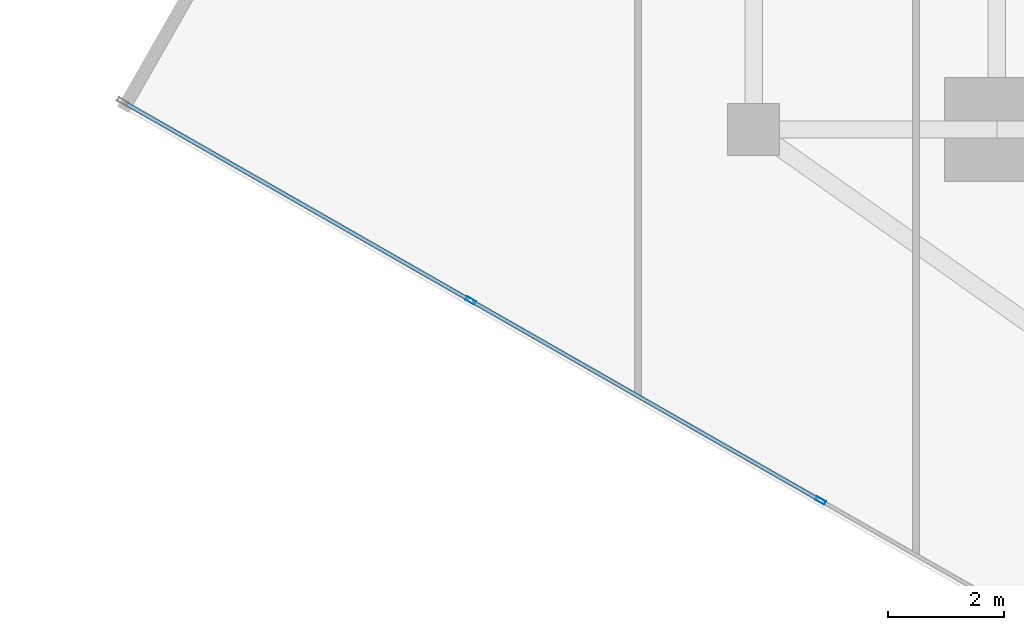
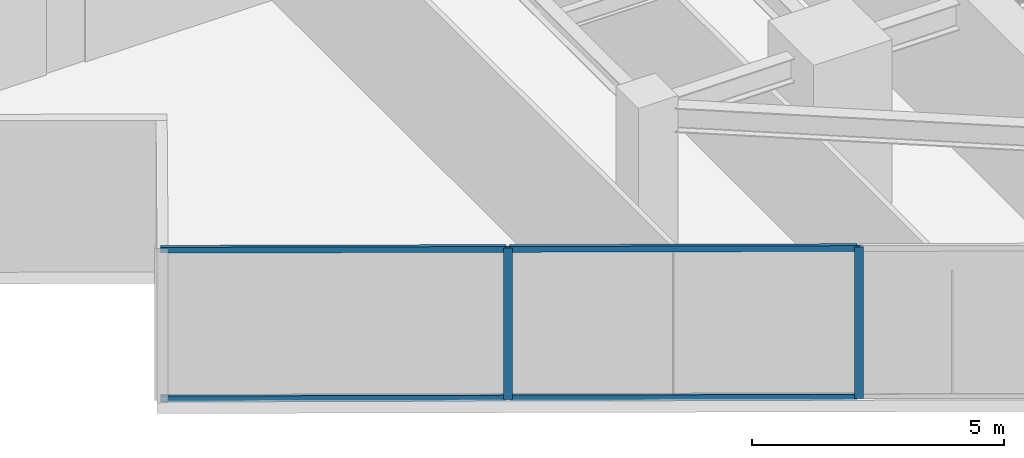
# One storey, part 2 of 24: 6 members, 1 element without a shape of its own.
"""IFC4 building model written with IfcOpenShell, lengths in metres."""

from ifc_helpers import new_model, si_unit, direction, frame, origin, origin_2d, place, context, subcontext, project, spatial, hollow_rectangle, extrude, source, transform, mapped, material, material_profile, profile_set, type_object, type_shapes, element, aggregate, save


model = new_model("IFC4")

# Units and contexts
model_context = context("Model", 3, precision=1e-05, world=origin(), true_north=direction((0.0, 1.0)))
body_context = subcontext(model_context, "Body", "Model", "MODEL_VIEW")
ifc_project = project(units=[si_unit("LENGTHUNIT", "METRE"), si_unit("AREAUNIT", "SQUARE_METRE"), si_unit("VOLUMEUNIT", "CUBIC_METRE"), si_unit("PLANEANGLEUNIT", "RADIAN"), si_unit("MASSUNIT", "GRAM", prefix="KILO")], contexts=[model_context])

# Site, building, storey
site_placement = place(None, origin())
site = spatial("IfcSite", under=ifc_project, at=site_placement, CompositionType="ELEMENT")
building_placement = place(site_placement, origin())
building = spatial("IfcBuilding", under=site, at=building_placement, Name="Krantzveldt Concourse Tower", CompositionType="ELEMENT")
storey_placement = place(building_placement, frame((0.0, 0.0, 169.89990234375)))
storey = spatial("IfcBuildingStorey", under=building, at=storey_placement, Name="L41", CompositionType="ELEMENT", Elevation=169.89990234375)

# Curtain wall, members
ifc_material = material(Name="Anodised aluminium 6063-T6", Category="aluminium")
curtain_wall_type = type_object("IfcCurtainWallType", Name="CW3", PredefinedType="USERDEFINED", material=ifc_material)
curtain_wall_placement = place(storey_placement, origin())
curtain_wall = element("IfcCurtainWall", 1, at=curtain_wall_placement, inside=storey, type_object=curtain_wall_type, Name="CW-L41-F08", ObjectType="UNITISED CURTAIN WALL", PredefinedType="USERDEFINED")
ifc_material_profile_1 = material_profile(ifc_material, hollow_rectangle(XDim=0.070068359375, YDim=0.179931640625, WallThickness=0.0048828125, at=origin_2d()), Name="Anodised aluminium 6063-T6", Category="aluminium")
ifc_profile_set_1 = profile_set([ifc_material_profile_1], Name="Anodised aluminium 6063-T6 - ALU-MULL 180x70x5")
member_type_1 = type_object("IfcMemberType", Name="CW-MUL-180", PredefinedType="MULLION", material=ifc_profile_set_1)
shared_shape_1 = source(origin(), body_context, "Body", "SweptSolid", [
    extrude(hollow_rectangle(XDim=0.070068359375, YDim=0.179931640625, WallThickness=0.0048828125, at=origin_2d()), origin(), (0.0, 0.0, 1.0), 3.670166015625),
])
type_shapes(member_type_1, [shared_shape_1])
member_1_placement = place(storey_placement, frame((16.113525390625, 12.945068359375, 0.0), z_axis=(0.0, 0.0, 1.0), x_axis=(0.496216394392, 0.868198876949, 0.0)))
member_1 = element("IfcMember", 2, at=member_1_placement, type_object=member_type_1, Name="CW-Z34 mullion 2", PredefinedType="MULLION", context=body_context, shape_type="MappedRepresentation", body=[
    mapped(shared_shape_1, transform((0.0, 0.0, 0.0), x_axis=(1.0, 0.0, 0.0), y_axis=(0.0, 1.0, 0.0), z_axis=(0.0, 0.0, 1.0), scale=1.0)),
])
member_2_placement = place(storey_placement, frame((22.15625, 9.491455078125, 0.0), z_axis=(0.0, 0.0, 1.0), x_axis=(0.496216394392, 0.868198876949, 0.0)))
member_2 = element("IfcMember", 3, at=member_2_placement, type_object=member_type_1, Name="CW-Z34 mullion 3", PredefinedType="MULLION", context=body_context, shape_type="MappedRepresentation", body=[
    mapped(shared_shape_1, transform((0.0, 0.0, 0.0), x_axis=(1.0, 0.0, 0.0), y_axis=(0.0, 1.0, 0.0), z_axis=(0.0, 0.0, 1.0), scale=1.0)),
])
ifc_material_profile_2 = material_profile(ifc_material, hollow_rectangle(XDim=0.070068359375, YDim=0.139892578125, WallThickness=0.0048828125, at=origin_2d()), Name="Anodised aluminium 6063-T6", Category="aluminium")
ifc_profile_set_2 = profile_set([ifc_material_profile_2], Name="Anodised aluminium 6063-T6 - ALU-TRAN 140x70x5")
member_type_2 = type_object("IfcMemberType", Name="CW-TRN-150", PredefinedType="USERDEFINED", material=ifc_profile_set_2)
shared_shape_2 = source(origin(), body_context, "Body", "SweptSolid", [
    extrude(hollow_rectangle(XDim=0.070068359375, YDim=0.139892578125, WallThickness=0.0048828125, at=origin_2d()), origin(), (0.0, 0.0, 1.0), 6.89013671875),
])
member_3_placement = place(storey_placement, frame((16.143798828125, 12.927734375, 0.03515625), z_axis=(0.868199527911, -0.496215255443, 0.0), x_axis=(0.496215255443, 0.868199527911, 0.0)))
member_3 = element("IfcMember", 4, at=member_3_placement, type_object=member_type_2, Name="CW-Z34 transom 2.1", ObjectType="TRANSOM", PredefinedType="USERDEFINED", context=body_context, shape_type="MappedRepresentation", body=[
    mapped(shared_shape_2, transform((0.0, 0.0, 0.0), x_axis=(1.0, 0.0, 0.0), y_axis=(0.0, 1.0, 0.0), z_axis=(0.0, 0.0, 1.0), scale=1.0)),
])
member_4_placement = place(storey_placement, frame((16.143798828125, 12.927734375, 3.635009765625), z_axis=(0.868199527911, -0.496215255443, 0.0), x_axis=(0.496215255443, 0.868199527911, 0.0)))
member_4 = element("IfcMember", 5, at=member_4_placement, type_object=member_type_2, Name="CW-Z34 transom 2.2", ObjectType="TRANSOM", PredefinedType="USERDEFINED", context=body_context, shape_type="MappedRepresentation", body=[
    mapped(shared_shape_2, transform((0.0, 0.0, 0.0), x_axis=(1.0, 0.0, 0.0), y_axis=(0.0, 1.0, 0.0), z_axis=(0.0, 0.0, 1.0), scale=1.0)),
])
shared_shape_3 = source(origin(), body_context, "Body", "SweptSolid", [
    extrude(hollow_rectangle(XDim=0.070068359375, YDim=0.139892578125, WallThickness=0.0048828125, at=origin_2d()), origin(), (0.0, 0.0, 1.0), 6.855224609375),
])
type_shapes(member_type_2, [shared_shape_2, shared_shape_3])
member_5_placement = place(storey_placement, frame((10.131591796875, 16.364013671875, 0.03515625), z_axis=(0.868201497918, -0.496211808618, 0.0), x_axis=(0.496211808618, 0.868201497918, 0.0)))
member_5 = element("IfcMember", 6, at=member_5_placement, type_object=member_type_2, Name="CW-Z34 transom 1.1", ObjectType="TRANSOM", PredefinedType="USERDEFINED", context=body_context, shape_type="MappedRepresentation", body=[
    mapped(shared_shape_3, transform((0.0, 0.0, 0.0), x_axis=(1.0, 0.0, 0.0), y_axis=(0.0, 1.0, 0.0), z_axis=(0.0, 0.0, 1.0), scale=1.0)),
])
member_6_placement = place(storey_placement, frame((10.131591796875, 16.364013671875, 3.635009765625), z_axis=(0.868201497918, -0.496211808618, 0.0), x_axis=(0.496211808618, 0.868201497918, 0.0)))
member_6 = element("IfcMember", 7, at=member_6_placement, type_object=member_type_2, Name="CW-Z34 transom 1.2", ObjectType="TRANSOM", PredefinedType="USERDEFINED", context=body_context, shape_type="MappedRepresentation", body=[
    mapped(shared_shape_3, transform((0.0, 0.0, 0.0), x_axis=(1.0, 0.0, 0.0), y_axis=(0.0, 1.0, 0.0), z_axis=(0.0, 0.0, 1.0), scale=1.0)),
])
aggregate(curtain_wall, [member_1, member_2, member_5, member_6, member_3, member_4])

save(model, "model.ifc")
